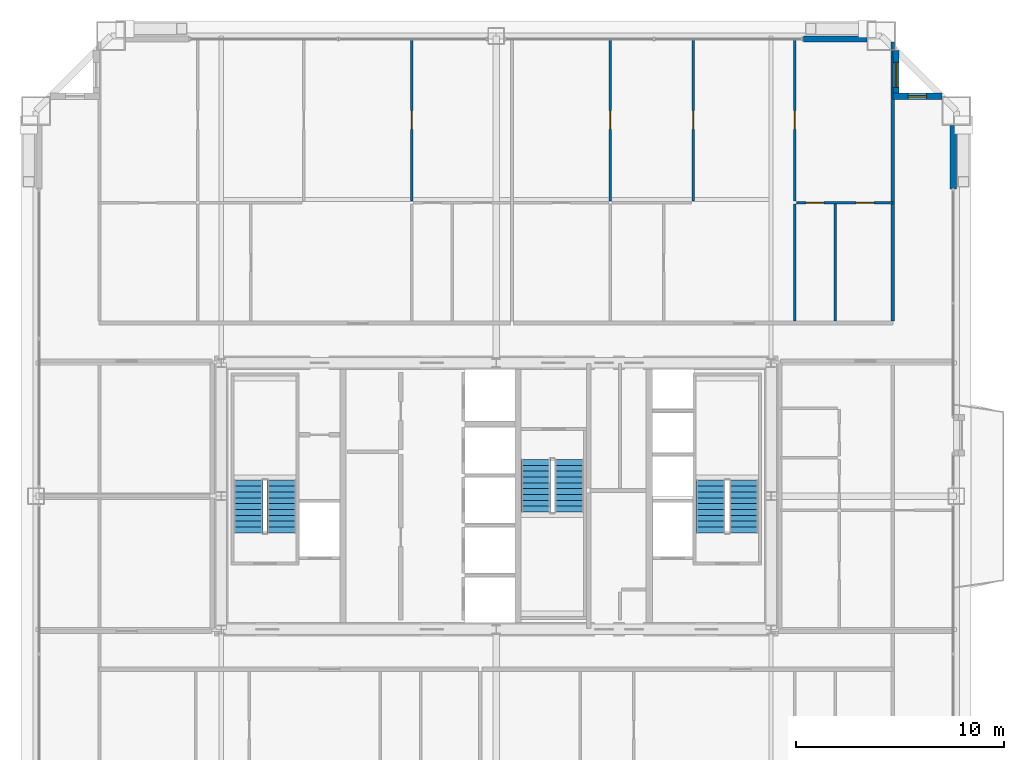
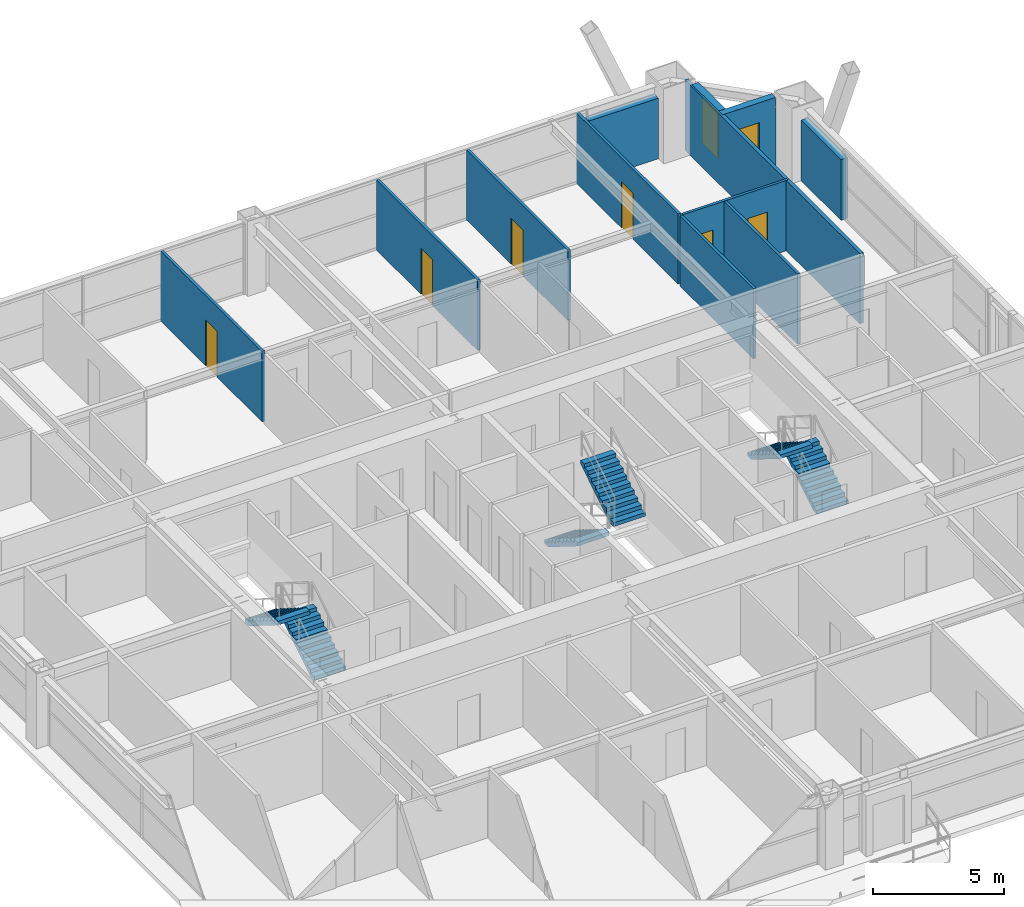
# One storey, part 44 of 45: 12 walls, 6 doors, 6 stair flights, 2 windows, 8 openings, 3 elements without a shape of their own.
"""IFC4 building model written with IfcOpenShell, lengths in metres."""

from ifc_helpers import new_model, si_unit, direction, frame, frame_2d, origin, place, context, subcontext, project, spatial, polyline, rectangle, outline, extrude, source, transform, mapped, material, layer, layer_set, type_object, element, fill, aggregate, save


model = new_model("IFC4")

# Units and contexts
model_context = context("Model", 3, precision=1e-05, world=origin(), true_north=direction((0.0, 1.0)))
body_context = subcontext(model_context, "Body", "Model", "MODEL_VIEW")
ifc_project = project(units=[si_unit("LENGTHUNIT", "METRE"), si_unit("AREAUNIT", "SQUARE_METRE"), si_unit("VOLUMEUNIT", "CUBIC_METRE"), si_unit("PLANEANGLEUNIT", "RADIAN"), si_unit("MASSUNIT", "GRAM", prefix="KILO"), si_unit("THERMODYNAMICTEMPERATUREUNIT", "KELVIN"), si_unit("POWERUNIT", "WATT")], contexts=[model_context])

# Site, building, storey
site_placement = place(None, origin())
site = spatial("IfcSite", under=ifc_project, at=site_placement, CompositionType="ELEMENT")
building_placement = place(site_placement, origin())
building = spatial("IfcBuilding", under=site, at=building_placement, Name="Yuzanri Waterfront Tower", CompositionType="ELEMENT")
storey_placement = place(building_placement, frame((0.0, 0.0, 191.5)))
storey = spatial("IfcBuildingStorey", under=building, at=storey_placement, Name="L50", CompositionType="ELEMENT", Elevation=191.5)

# Wall, opening, door
ifc_material_1 = material(Name="Moisture-Resistant Gypsum Stud Wall", Category="gypsum")
ifc_layer_1 = layer(ifc_material_1, 0.1201171875)
ifc_layer_set_1 = layer_set([ifc_layer_1], Name="Moisture-Resistant Gypsum Stud Wall")
wall_type_1 = type_object("IfcWallType", Name="Bathroom and Kitchen Wet Partition 120", PredefinedType="PARTITIONING", material=ifc_layer_set_1)
wall_1_placement = place(storey_placement, frame((32.955078125, 39.97998046875, 0.0), z_axis=(0.0, 0.0, 1.0), x_axis=(0.0, 1.0, 0.0)))
wall_1 = element("IfcWall", 1, at=wall_1_placement, inside=storey, type_object=wall_type_1, Name="L50 Partition UW-L50-RN1-SUB-6-W", PredefinedType="PARTITIONING", context=body_context, shape_type="SweptSolid", body=[
    extrude(rectangle(XDim=7.77001953125, YDim=0.1201171875, at=frame_2d((3.885009765625, 0.0))), origin(), (0.0, 0.0, 1.0), 3.280029296875),
])
opening_1_placement = place(wall_1_placement, frame((3.43505859375, 0.0, 0.0)))
opening_1 = element("IfcOpeningElement", 2, at=opening_1_placement, cuts=wall_1, Name="Opening ID-0900", PredefinedType="OPENING", context=body_context, shape_type="SweptSolid", body=[
    extrude(rectangle(XDim=0.89990234375, YDim=2.14990234375, at=frame_2d((0.449951171875, 1.074951171875))), frame((0.0, 0.074951171875, 0.0), z_axis=(0.0, -1.0, 0.0), x_axis=(1.0, 0.0, 0.0)), (0.0, 0.0, 1.0), 0.14990234375),
])
ifc_material_2 = material(Name="Stained Walnut Veneer Timber", Category="wood")
door_type_1 = type_object("IfcDoorType", Name="Bedroom and Study Interior Swing Door 900x2150", OperationType="NOTDEFINED", PredefinedType="DOOR", material=ifc_material_2)
shared_shape_1 = source(origin(), body_context, "Body", "SweptSolid", [
    extrude(rectangle(XDim=0.89990234375, YDim=2.14990234375, at=frame_2d((0.449951171875, 1.074951171875))), frame((0.0, 0.02490234375, 0.0), z_axis=(0.0, -1.0, 0.0), x_axis=(1.0, 0.0, 0.0)), (0.0, 0.0, 1.0), 0.050048828125),
])
door_1_placement = place(opening_1_placement, origin())
door_1 = element("IfcDoor", 3, at=door_1_placement, inside=storey, type_object=door_type_1, Name="L50 Suite Interior Room Door", OperationType="SINGLE_SWING_RIGHT", OverallHeight=2.14990234375, OverallWidth=0.89990234375, PredefinedType="DOOR", context=body_context, shape_type="MappedRepresentation", body=[
    mapped(shared_shape_1, transform((0.0, 0.0, 0.0), scale=1.0)),
])
fill(opening_1, door_1)

wall_2_placement = place(storey_placement, frame((42.47607421875, 39.97998046875, 0.0), z_axis=(0.0, 0.0, 1.0), x_axis=(0.0, 1.0, 0.0)))
wall_2 = element("IfcWall", 4, at=wall_2_placement, inside=storey, type_object=wall_type_1, Name="L50 Partition UW-L50-RN2-SUB-5-E", PredefinedType="PARTITIONING", context=body_context, shape_type="SweptSolid", body=[
    extrude(rectangle(XDim=7.77001953125, YDim=0.1201171875, at=frame_2d((3.885009765625, 0.0))), origin(), (0.0, 0.0, 1.0), 3.280029296875),
])
opening_2_placement = place(wall_2_placement, frame((3.43505859375, 0.0, 0.0)))
opening_2 = element("IfcOpeningElement", 5, at=opening_2_placement, cuts=wall_2, Name="Opening ID-0900", PredefinedType="OPENING", context=body_context, shape_type="SweptSolid", body=[
    extrude(rectangle(XDim=0.89990234375, YDim=2.14990234375, at=frame_2d((0.449951171875, 1.074951171875))), frame((0.0, 0.074951171875, 0.0), z_axis=(0.0, -1.0, 0.0), x_axis=(1.0, 0.0, 0.0)), (0.0, 0.0, 1.0), 0.14990234375),
])
door_2_placement = place(opening_2_placement, origin())
door_2 = element("IfcDoor", 6, at=door_2_placement, inside=storey, type_object=door_type_1, Name="L50 Suite Interior Room Door", OperationType="SINGLE_SWING_LEFT", OverallHeight=2.14990234375, OverallWidth=0.89990234375, PredefinedType="DOOR", context=body_context, shape_type="MappedRepresentation", body=[
    mapped(shared_shape_1, transform((0.0, 0.0, 0.0), scale=1.0)),
])
fill(opening_2, door_2)

# Wall, openings, doors
wall_3_placement = place(storey_placement, frame((51.4130859375, 39.89990234375, 0.0), z_axis=(0.0, 0.0, 1.0), x_axis=(1.0, 0.0, 0.0)))
wall_3 = element("IfcWall", 7, at=wall_3_placement, inside=storey, type_object=wall_type_1, Name="L50 Partition UW-L50-RN2-SUB-6-S", PredefinedType="PARTITIONING", context=body_context, shape_type="SweptSolid", body=[
    extrude(rectangle(XDim=4.64697265625, YDim=0.1201171875, at=frame_2d((2.323486328125, 0.0))), origin(), (0.0, 0.0, 1.0), 3.280029296875),
])
opening_3_placement = place(wall_3_placement, frame((2.8720703125, 0.0, 0.0)))
opening_3 = element("IfcOpeningElement", 8, at=opening_3_placement, cuts=wall_3, Name="Opening ID-0850", PredefinedType="OPENING", context=body_context, shape_type="SweptSolid", body=[
    extrude(rectangle(XDim=0.85009765625, YDim=2.10009765625, at=frame_2d((0.425048828125, 1.050048828125))), frame((0.0, 0.074951171875, 0.0), z_axis=(0.0, -1.0, 0.0), x_axis=(1.0, 0.0, 0.0)), (0.0, 0.0, 1.0), 0.14990234375),
])
opening_4_placement = place(wall_3_placement, frame((0.468505859375, 0.0, 0.0)))
opening_4 = element("IfcOpeningElement", 9, at=opening_4_placement, cuts=wall_3, Name="Opening ID-0850", PredefinedType="OPENING", context=body_context, shape_type="SweptSolid", body=[
    extrude(rectangle(XDim=0.85009765625, YDim=2.10009765625, at=frame_2d((0.425048828125, 1.050048828125))), frame((0.0, 0.074951171875, 0.0), z_axis=(0.0, -1.0, 0.0), x_axis=(1.0, 0.0, 0.0)), (0.0, 0.0, 1.0), 0.14990234375),
])
ifc_material_3 = material(Name="Moisture-Resistant Lacquered Timber", Category="wood")
door_type_2 = type_object("IfcDoorType", Name="En-Suite Bathroom and Kitchen Swing Door 850x2100", OperationType="NOTDEFINED", PredefinedType="DOOR", material=ifc_material_3)
shared_shape_2 = source(origin(), body_context, "Body", "SweptSolid", [
    extrude(rectangle(XDim=0.85009765625, YDim=2.10009765625, at=frame_2d((0.425048828125, 1.050048828125))), frame((0.0, 0.02490234375, 0.0), z_axis=(0.0, -1.0, 0.0), x_axis=(1.0, 0.0, 0.0)), (0.0, 0.0, 1.0), 0.050048828125),
])
door_3_placement = place(opening_3_placement, origin())
door_3 = element("IfcDoor", 10, at=door_3_placement, inside=storey, type_object=door_type_2, Name="L50 Suite Interior Room Door", OperationType="SINGLE_SWING_LEFT", OverallHeight=2.10009765625, OverallWidth=0.85009765625, PredefinedType="DOOR", context=body_context, shape_type="MappedRepresentation", body=[
    mapped(shared_shape_2, transform((0.0, 0.0, 0.0), scale=1.0)),
])
fill(opening_3, door_3)
door_4_placement = place(opening_4_placement, origin())
door_4 = element("IfcDoor", 11, at=door_4_placement, inside=storey, type_object=door_type_2, Name="L50 Suite Interior Room Door", OperationType="SINGLE_SWING_RIGHT", OverallHeight=2.10009765625, OverallWidth=0.85009765625, PredefinedType="DOOR", context=body_context, shape_type="MappedRepresentation", body=[
    mapped(shared_shape_2, transform((0.0, 0.0, 0.0), scale=1.0)),
])
fill(opening_4, door_4)

# Wall, opening, door
wall_4_placement = place(storey_placement, frame((51.3330078125, 39.97998046875, 0.0), z_axis=(0.0, 0.0, 1.0), x_axis=(0.0, 1.0, 0.0)))
wall_4 = element("IfcWall", 12, at=wall_4_placement, inside=storey, type_object=wall_type_1, Name="L50 Partition UW-L50-RN2-SUB-6-W", PredefinedType="PARTITIONING", context=body_context, shape_type="SweptSolid", body=[
    extrude(rectangle(XDim=7.77001953125, YDim=0.1201171875, at=frame_2d((3.885009765625, 0.0))), origin(), (0.0, 0.0, 1.0), 3.280029296875),
])
opening_5_placement = place(wall_4_placement, frame((3.43505859375, 0.0, 0.0)))
opening_5 = element("IfcOpeningElement", 13, at=opening_5_placement, cuts=wall_4, Name="Opening ID-0900", PredefinedType="OPENING", context=body_context, shape_type="SweptSolid", body=[
    extrude(rectangle(XDim=0.89990234375, YDim=2.14990234375, at=frame_2d((0.449951171875, 1.074951171875))), frame((0.0, 0.074951171875, 0.0), z_axis=(0.0, -1.0, 0.0), x_axis=(1.0, 0.0, 0.0)), (0.0, 0.0, 1.0), 0.14990234375),
])
door_5_placement = place(opening_5_placement, origin())
door_5 = element("IfcDoor", 14, at=door_5_placement, inside=storey, type_object=door_type_1, Name="L50 Suite Interior Room Door", OperationType="SINGLE_SWING_RIGHT", OverallHeight=2.14990234375, OverallWidth=0.89990234375, PredefinedType="DOOR", context=body_context, shape_type="MappedRepresentation", body=[
    mapped(shared_shape_1, transform((0.0, 0.0, 0.0), scale=1.0)),
])
fill(opening_5, door_5)

wall_5_placement = place(storey_placement, frame((46.462890625, 39.97998046875, 0.0), z_axis=(0.0, 0.0, 1.0), x_axis=(0.0, 1.0, 0.0)))
wall_5 = element("IfcWall", 15, at=wall_5_placement, inside=storey, type_object=wall_type_1, Name="L50 Partition UW-L50-RN2-SUB-7-E", PredefinedType="PARTITIONING", context=body_context, shape_type="SweptSolid", body=[
    extrude(rectangle(XDim=7.77001953125, YDim=0.1201171875, at=frame_2d((3.885009765625, 0.0))), origin(), (0.0, 0.0, 1.0), 3.280029296875),
])
opening_6_placement = place(wall_5_placement, frame((3.43505859375, 0.0, 0.0)))
opening_6 = element("IfcOpeningElement", 16, at=opening_6_placement, cuts=wall_5, Name="Opening ID-0900", PredefinedType="OPENING", context=body_context, shape_type="SweptSolid", body=[
    extrude(rectangle(XDim=0.89990234375, YDim=2.14990234375, at=frame_2d((0.449951171875, 1.074951171875))), frame((0.0, 0.074951171875, 0.0), z_axis=(0.0, -1.0, 0.0), x_axis=(1.0, 0.0, 0.0)), (0.0, 0.0, 1.0), 0.14990234375),
])
door_6_placement = place(opening_6_placement, origin())
door_6 = element("IfcDoor", 17, at=door_6_placement, inside=storey, type_object=door_type_1, Name="L50 Suite Interior Room Door", OperationType="SINGLE_SWING_LEFT", OverallHeight=2.14990234375, OverallWidth=0.89990234375, PredefinedType="DOOR", context=body_context, shape_type="MappedRepresentation", body=[
    mapped(shared_shape_1, transform((0.0, 0.0, 0.0), scale=1.0)),
])
fill(opening_6, door_6)

# Wall, opening, window
ifc_material_4 = material(Name="Honed Chongqing Dark Basalt Stone", Category="masonry")
ifc_layer_2 = layer(ifc_material_4, 0.300048828125)
ifc_layer_set_2 = layer_set([ifc_layer_2], Name="Honed Chongqing Dark Basalt Stone")
wall_type_2 = type_object("IfcWallType", Name="Bronze Rainscreen Insulated Spandrel Portal Wall 300", PredefinedType="SOLIDWALL", material=ifc_layer_set_2)
wall_6_placement = place(storey_placement, frame((58.39990234375, 45.0, 0.0), z_axis=(0.0, 0.0, 1.0), x_axis=(-1.0, 0.0, 0.0)))
wall_6 = element("IfcWall", 18, at=wall_6_placement, inside=storey, type_object=wall_type_2, Name="L50 Notched Corner Masonry Wall NE-X", PredefinedType="SOLIDWALL", context=body_context, shape_type="SweptSolid", body=[
    extrude(rectangle(XDim=2.349853515625, YDim=0.300048828125, at=frame_2d((1.1748046875, 0.0))), origin(), (0.0, 0.0, 1.0), 3.280029296875),
])
opening_7_placement = place(wall_6_placement, frame((0.72509765625, 0.0, 0.85009765625)))
opening_7 = element("IfcOpeningElement", 19, at=opening_7_placement, cuts=wall_6, Name="Opening WN-05", PredefinedType="OPENING", context=body_context, shape_type="SweptSolid", body=[
    extrude(rectangle(XDim=0.89990234375, YDim=1.5, at=frame_2d((0.449951171875, 0.75))), frame((0.0, 0.1650390625, 0.0), z_axis=(0.0, -1.0, 0.0), x_axis=(1.0, 0.0, 0.0)), (0.0, 0.0, 1.0), 0.329833984375),
])
ifc_material_5 = material(Name="Double-Silver Low-E Insulated Glass", Category="glass")
window_type_1 = type_object("IfcWindowType", Name="Anodized Bronze Service and Stairwell Smoke-Vent Window 900x1500", PartitioningType="SINGLE_PANEL", PredefinedType="WINDOW", material=ifc_material_5)
shared_shape_3 = source(origin(), body_context, "Body", "SweptSolid", [
    extrude(rectangle(XDim=0.89990234375, YDim=1.5, at=frame_2d((0.449951171875, 0.75))), frame((0.0, 0.030029296875, 0.0), z_axis=(0.0, -1.0, 0.0), x_axis=(1.0, 0.0, 0.0)), (0.0, 0.0, 1.0), 0.06005859375),
])
window_1_placement = place(opening_7_placement, origin())
window_1 = element("IfcWindow", 20, at=window_1_placement, inside=storey, type_object=window_type_1, Name="L50 Notched Corner Window NE-X", OverallHeight=1.5, OverallWidth=0.89990234375, PartitioningType="SINGLE_PANEL", PredefinedType="WINDOW", context=body_context, shape_type="MappedRepresentation", body=[
    mapped(shared_shape_3, transform((0.0, 0.0, 0.0), scale=1.0)),
])
fill(opening_7, window_1)

wall_7_placement = place(storey_placement, frame((56.199951171875, 44.85009765625, 0.0), z_axis=(0.0, 0.0, 1.0), x_axis=(0.0, 1.0, 0.0)))
wall_7 = element("IfcWall", 21, at=wall_7_placement, inside=storey, type_object=wall_type_2, Name="L50 Notched Corner Masonry Wall NE-Y", PredefinedType="SOLIDWALL", context=body_context, shape_type="SweptSolid", body=[
    extrude(rectangle(XDim=2.349853515625, YDim=0.300048828125, at=frame_2d((1.1748046875, 0.0))), origin(), (0.0, 0.0, 1.0), 3.280029296875),
])
opening_8_placement = place(wall_7_placement, frame((0.574951171875, 0.0, 0.85009765625)))
opening_8 = element("IfcOpeningElement", 22, at=opening_8_placement, cuts=wall_7, Name="Opening WN-02", PredefinedType="OPENING", context=body_context, shape_type="SweptSolid", body=[
    extrude(rectangle(XDim=1.199951171875, YDim=2.10009765625, at=frame_2d((0.60009765625, 1.050048828125))), frame((0.0, 0.1650390625, 0.0), z_axis=(0.0, -1.0, 0.0), x_axis=(1.0, 0.0, 0.0)), (0.0, 0.0, 1.0), 0.329833984375),
])
ifc_material_6 = material(Name="Double-Silver Low-E Insulated Glass", Category="glass")
window_type_2 = type_object("IfcWindowType", Name="Anodized Bronze Notched Corner Deep-Set Slot Window 1200x2100", PartitioningType="SINGLE_PANEL", PredefinedType="WINDOW", material=ifc_material_6)
shared_shape_4 = source(origin(), body_context, "Body", "SweptSolid", [
    extrude(rectangle(XDim=1.199951171875, YDim=2.10009765625, at=frame_2d((0.60009765625, 1.050048828125))), frame((0.0, 0.030029296875, 0.0), z_axis=(0.0, -1.0, 0.0), x_axis=(1.0, 0.0, 0.0)), (0.0, 0.0, 1.0), 0.06005859375),
])
window_2_placement = place(opening_8_placement, origin())
window_2 = element("IfcWindow", 23, at=window_2_placement, inside=storey, type_object=window_type_2, Name="L50 Notched Corner Window NE-Y", OverallHeight=2.10009765625, OverallWidth=1.199951171875, PartitioningType="SINGLE_PANEL", PredefinedType="WINDOW", context=body_context, shape_type="MappedRepresentation", body=[
    mapped(shared_shape_4, transform((0.0, 0.0, 0.0), scale=1.0)),
])
fill(opening_8, window_2)

# Walls
shared_shape_5 = source(origin(), body_context, "Body", "SweptSolid", [
    extrude(rectangle(XDim=3.050048828125, YDim=0.300048828125, at=frame_2d((1.52490234375, 0.0))), origin(), (0.0, 0.0, 1.0), 2.8349609375),
])
for number, where, z_axis, x_axis, name in (
    (24, (51.75, 47.75, 0.0), (0.0, 0.0, 1.0), (1.0, 0.0, 0.0), "L50 N Right Braced Masonry Shoulder"),
    (25, (58.949951171875, 40.550048828125, 0.0), (0.0, 0.0, 1.0), (0.0, 1.0, 0.0), "L50 E Right Braced Masonry Shoulder"),
):
    element("IfcWall", number, at=place(storey_placement, frame(where, z_axis=z_axis, x_axis=x_axis)), inside=storey, type_object=wall_type_2, Name=name, PredefinedType="SOLIDWALL", context=body_context, shape_type="MappedRepresentation", body=[
        mapped(shared_shape_5, transform((0.0, 0.0, 0.0), scale=1.0)),
    ])
ifc_material_7 = material(Name="Gypsum Fireboard Acoustic Stud Wall", Category="gypsum")
ifc_layer_3 = layer(ifc_material_7, 0.159912109375)
ifc_layer_set_3 = layer_set([ifc_layer_3], Name="Gypsum Fireboard Acoustic Stud Wall")
wall_type_3 = type_object("IfcWallType", Name="Acoustic Suite Demising Partition 160", PredefinedType="PARTITIONING", material=ifc_layer_set_3)
shared_shape_6 = source(origin(), body_context, "Body", "SweptSolid", [
    extrude(rectangle(XDim=13.39013671875, YDim=0.159912109375, at=frame_2d((6.695068359375, 0.0))), origin(), (0.0, 0.0, 1.0), 3.280029296875),
])
wall_8_placement = place(storey_placement, frame((56.050048828125, 34.2099609375, 0.0), z_axis=(0.0, 0.0, 1.0), x_axis=(0.0, 1.0, 0.0)))
element("IfcWall", 26, at=wall_8_placement, inside=storey, type_object=wall_type_3, Name="L50 North Band East End Wall", PredefinedType="PARTITIONING", context=body_context, shape_type="MappedRepresentation", body=[
    mapped(shared_shape_6, transform((0.0, 0.0, 0.0), scale=1.0)),
])
shared_shape_7 = source(origin(), body_context, "Body", "SweptSolid", [
    extrude(rectangle(XDim=5.610107421875, YDim=0.1201171875, at=frame_2d((2.80517578125, 0.0))), origin(), (0.0, 0.0, 1.0), 3.280029296875),
])
for number, where, z_axis, x_axis, name in (
    (27, (53.280029296875, 34.2099609375, 0.0), (0.0, 0.0, 1.0), (0.0, 1.0, 0.0), "L50 Partition UW-L50-RN2-SUB-3-W"),
    (28, (51.3330078125, 34.2099609375, 0.0), (0.0, 0.0, 1.0), (0.0, 1.0, 0.0), "L50 Partition UW-L50-RN2-SUB-4-W"),
):
    element("IfcWall", number, at=place(storey_placement, frame(where, z_axis=z_axis, x_axis=x_axis)), inside=storey, type_object=wall_type_1, Name=name, PredefinedType="PARTITIONING", context=body_context, shape_type="MappedRepresentation", body=[
        mapped(shared_shape_7, transform((0.0, 0.0, 0.0), scale=1.0)),
    ])

# Stair, stair flights
ifc_material_8 = material(Name="Concrete C40", Category="concrete")
stair_type = type_object("IfcStairType", Name="Concrete C40 Core Dogleg Exit Stair", PredefinedType="HALF_TURN_STAIR", material=ifc_material_8)
stair_1_placement = place(storey_placement, origin())
stair_1 = element("IfcStair", 29, at=stair_1_placement, inside=storey, type_object=stair_type, Name="L50 Smoke-Proof Core Stair ST-01", PredefinedType="HALF_TURN_STAIR")
ifc_material_9 = material(Name="Concrete C40", Category="concrete")
stair_flight_type = type_object("IfcStairFlightType", Name="Concrete C40 Precast Stair Flight 1380", PredefinedType="STRAIGHT", material=ifc_material_9)
shared_shape_8 = source(origin(), body_context, "Body", "SweptSolid", [
    extrude(outline(polyline([(0.0, 0.0), (0.0, 0.175048828125), (0.280029296875, 0.175048828125), (0.280029296875, 0.35009765625), (0.56005859375, 0.35009765625), (0.56005859375, 0.52490234375), (0.840087890625, 0.52490234375), (0.840087890625, 0.699951171875), (1.1201171875, 0.699951171875), (1.1201171875, 0.875), (1.39990234375, 0.875), (1.39990234375, 1.050048828125), (1.679931640625, 1.050048828125), (1.679931640625, 1.22509765625), (1.9599609375, 1.22509765625), (1.9599609375, 1.39990234375), (2.239990234375, 1.39990234375), (2.239990234375, 1.574951171875), (2.52001953125, 1.574951171875), (2.52001953125, 1.75), (2.52001953125, 1.398193359375), (0.28271484375, 0.0), (0.0, 0.0)])), frame((0.0, 0.699951171875, 0.0), z_axis=(0.0, -1.0, 0.0), x_axis=(1.0, 0.0, 0.0)), (0.0, 0.0, 1.0), 1.39990234375),
])
stair_flight_1_placement = place(storey_placement, frame((26.699951171875, 24.0400390625, 0.0), z_axis=(0.0, 0.0, 1.0), x_axis=(0.0, 1.0, 0.0)))
stair_flight_1 = element("IfcStairFlight", 30, at=stair_flight_1_placement, type_object=stair_flight_type, Name="ST-01 flight 1", NumberOfRisers=10, NumberOfTreads=9, PredefinedType="STRAIGHT", RiserHeight=0.175, TreadLength=0.28, context=body_context, shape_type="MappedRepresentation", body=[
    mapped(shared_shape_8, transform((0.0, 0.0, 0.0), scale=1.0)),
])
stair_flight_2_placement = place(storey_placement, frame((25.10009765625, 26.56005859375, 1.75), z_axis=(0.0, 0.0, 1.0), x_axis=(0.0, -1.0, 0.0)))
stair_flight_2 = element("IfcStairFlight", 31, at=stair_flight_2_placement, type_object=stair_flight_type, Name="ST-01 flight 2", NumberOfRisers=10, NumberOfTreads=9, PredefinedType="STRAIGHT", RiserHeight=0.175, TreadLength=0.28, context=body_context, shape_type="MappedRepresentation", body=[
    mapped(shared_shape_8, transform((0.0, 0.0, 0.0), scale=1.0)),
])
aggregate(stair_1, [stair_flight_1, stair_flight_2])

stair_2_placement = place(storey_placement, origin())
stair_2 = element("IfcStair", 32, at=stair_2_placement, inside=storey, type_object=stair_type, Name="L50 Smoke-Proof Core Stair ST-02", PredefinedType="HALF_TURN_STAIR")
stair_flight_3_placement = place(storey_placement, frame((48.89990234375, 24.0400390625, 0.0), z_axis=(0.0, 0.0, 1.0), x_axis=(0.0, 1.0, 0.0)))
stair_flight_3 = element("IfcStairFlight", 33, at=stair_flight_3_placement, type_object=stair_flight_type, Name="ST-02 flight 1", NumberOfRisers=10, NumberOfTreads=9, PredefinedType="STRAIGHT", RiserHeight=0.175, TreadLength=0.28, context=body_context, shape_type="MappedRepresentation", body=[
    mapped(shared_shape_8, transform((0.0, 0.0, 0.0), scale=1.0)),
])
stair_flight_4_placement = place(storey_placement, frame((47.300048828125, 26.56005859375, 1.75), z_axis=(0.0, 0.0, 1.0), x_axis=(0.0, -1.0, 0.0)))
stair_flight_4 = element("IfcStairFlight", 34, at=stair_flight_4_placement, type_object=stair_flight_type, Name="ST-02 flight 2", NumberOfRisers=10, NumberOfTreads=9, PredefinedType="STRAIGHT", RiserHeight=0.175, TreadLength=0.28, context=body_context, shape_type="MappedRepresentation", body=[
    mapped(shared_shape_8, transform((0.0, 0.0, 0.0), scale=1.0)),
])
aggregate(stair_2, [stair_flight_3, stair_flight_4])

stair_3_placement = place(storey_placement, origin())
stair_3 = element("IfcStair", 35, at=stair_3_placement, inside=storey, type_object=stair_type, Name="L50 Smoke-Proof Core Stair ST-03", PredefinedType="HALF_TURN_STAIR")
stair_flight_5_placement = place(storey_placement, frame((38.89990234375, 27.56005859375, 0.0), z_axis=(0.0, 0.0, 1.0), x_axis=(0.0, -1.0, 0.0)))
stair_flight_5 = element("IfcStairFlight", 36, at=stair_flight_5_placement, type_object=stair_flight_type, Name="ST-03 flight 1", NumberOfRisers=10, NumberOfTreads=9, PredefinedType="STRAIGHT", RiserHeight=0.175, TreadLength=0.28, context=body_context, shape_type="MappedRepresentation", body=[
    mapped(shared_shape_8, transform((0.0, 0.0, 0.0), scale=1.0)),
])
stair_flight_6_placement = place(storey_placement, frame((40.5, 25.0400390625, 1.75), z_axis=(0.0, 0.0, 1.0), x_axis=(0.0, 1.0, 0.0)))
stair_flight_6 = element("IfcStairFlight", 37, at=stair_flight_6_placement, type_object=stair_flight_type, Name="ST-03 flight 2", NumberOfRisers=10, NumberOfTreads=9, PredefinedType="STRAIGHT", RiserHeight=0.175, TreadLength=0.28, context=body_context, shape_type="MappedRepresentation", body=[
    mapped(shared_shape_8, transform((0.0, 0.0, 0.0), scale=1.0)),
])
aggregate(stair_3, [stair_flight_5, stair_flight_6])

save(model, "model.ifc")
